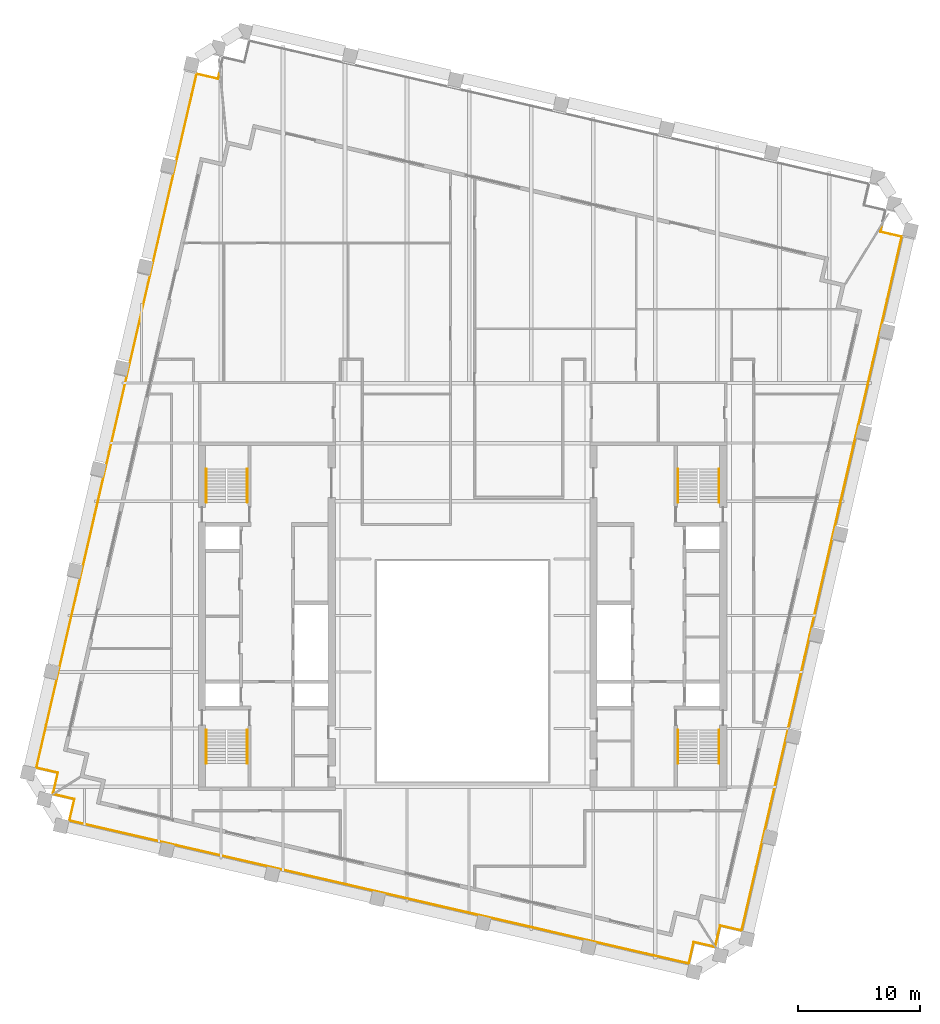
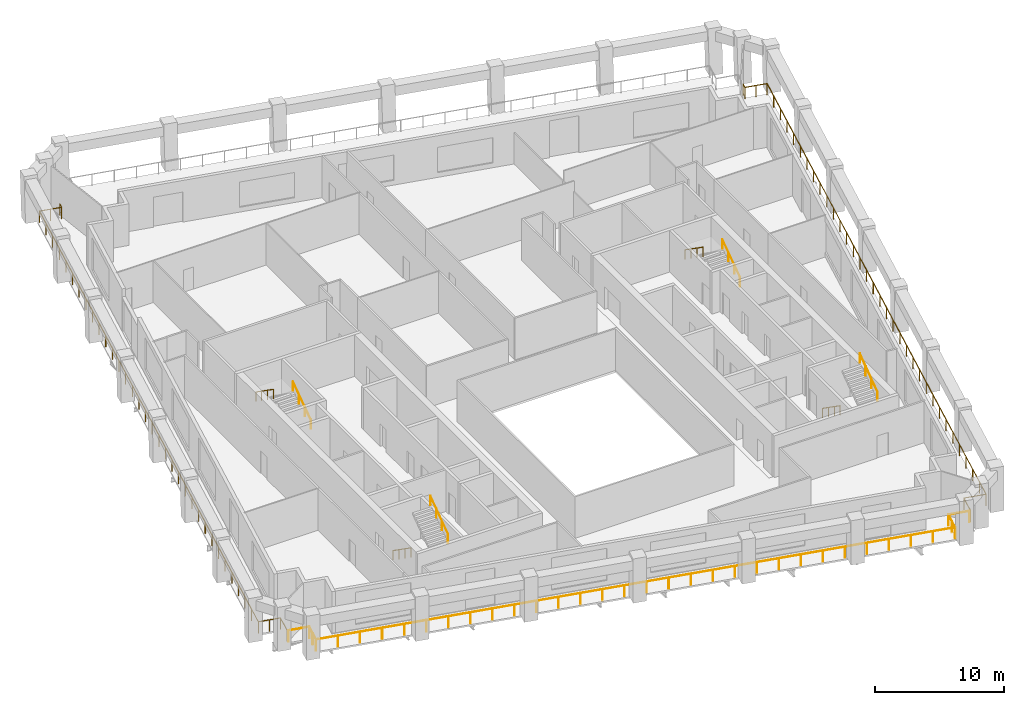
# One storey, part 9 of 10: 11 railings.
"""IFC4 building model written with IfcOpenShell, lengths in metres."""

from ifc_helpers import new_model, si_unit, direction, frame, origin, origin_2d, place, context, subcontext, project, spatial, circle, extrude, material, type_object, element, save


model = new_model("IFC4")

# Units and contexts
model_context = context("Model", 3, precision=1e-05, world=origin(), true_north=direction((0.0, 1.0)))
body_context = subcontext(model_context, "Body", "Model", "MODEL_VIEW")
ifc_project = project(units=[si_unit("LENGTHUNIT", "METRE"), si_unit("AREAUNIT", "SQUARE_METRE"), si_unit("VOLUMEUNIT", "CUBIC_METRE"), si_unit("PLANEANGLEUNIT", "RADIAN"), si_unit("MASSUNIT", "GRAM", prefix="KILO")], contexts=[model_context])

# Site, building, storey
site_placement = place(None, origin())
site = spatial("IfcSite", under=ifc_project, at=site_placement, CompositionType="ELEMENT")
building_placement = place(site_placement, origin())
building = spatial("IfcBuilding", under=site, at=building_placement, Name="Ogive Exchange Tower", CompositionType="ELEMENT")
storey_placement = place(building_placement, frame((0.0, 0.0, 289.199951171875)))
storey = spatial("IfcBuildingStorey", under=building, at=storey_placement, Name="L63", CompositionType="ELEMENT", Elevation=289.199951171875)

# Railings
ifc_material_1 = material(Name="Stainless steel 316", Category="steel")
railing_type_1 = type_object("IfcRailingType", Name="Guard 1100 stainless steel and glass", PredefinedType="GUARDRAIL", material=ifc_material_1)
railing_1_placement = place(storey_placement, frame((20.560546875, -15.527099609375, -0.050048828125)))
element("IfcRailing", 1, at=railing_1_placement, inside=storey, type_object=railing_type_1, Name="Loggia guard 1", PredefinedType="GUARDRAIL", context=body_context, shape_type="SweptSolid", body=[
    extrude(circle(Radius=0.02392578125, at=origin_2d()), frame((0.0, 0.0, 1.076171875), z_axis=(-0.974396013545, 0.224838628327, 0.0), x_axis=(-0.224838628327, -0.974396013545, 0.0)), (0.0, 0.0, 1.0), 1.7080078125),
    extrude(circle(Radius=0.02392578125, at=origin_2d()), frame((-1.664306640625, 0.384033203125, 1.076171875), z_axis=(-0.224879318197, -0.974386623598, 0.0), x_axis=(0.974386623598, -0.224879318197, 0.0)), (0.0, 0.0, 1.0), 1.800048828125),
    extrude(circle(Radius=0.02392578125, at=origin_2d()), frame((-2.069091796875, -1.369873046875, 1.076171875), z_axis=(-0.974370126852, 0.224950785504, 0.0), x_axis=(-0.224950785504, -0.974370126852, 0.0)), (0.0, 0.0, 1.0), 51.960205078125),
    extrude(circle(Radius=0.02392578125, at=origin_2d()), frame((-52.697509765625, 10.318603515625, 1.076171875), z_axis=(0.225008086135, 0.974356896201, 0.0), x_axis=(-0.974356896201, 0.225008086135, 0.0)), (0.0, 0.0, 1.0), 1.800048828125),
    extrude(circle(Radius=0.02392578125, at=origin_2d()), frame((-52.29248046875, 12.072509765625, 1.076171875), z_axis=(-0.974364690374, 0.224974332206, 0.0), x_axis=(-0.224974332206, -0.974364690374, 0.0)), (0.0, 0.0, 1.0), 1.7080078125),
    extrude(circle(Radius=0.02099609375, at=origin_2d()), origin(), (0.0, 0.0, 1.0), 1.052001953125),
    extrude(circle(Radius=0.02099609375, at=origin_2d()), frame((-1.664306640625, 0.384033203125, 0.0)), (0.0, 0.0, 1.0), 1.052001953125),
    extrude(circle(Radius=0.02099609375, at=origin_2d()), frame((-1.86669921875, -0.492919921875, 0.0)), (0.0, 0.0, 1.0), 1.052001953125),
    extrude(circle(Radius=0.02099609375, at=origin_2d()), frame((-2.069091796875, -1.369873046875, 0.0)), (0.0, 0.0, 1.0), 1.052001953125),
    extrude(circle(Radius=0.02099609375, at=origin_2d()), frame((-3.81494140625, -0.966796875, 0.0)), (0.0, 0.0, 1.0), 1.052001953125),
    extrude(circle(Radius=0.02099609375, at=origin_2d()), frame((-5.560791015625, -0.563720703125, 0.0)), (0.0, 0.0, 1.0), 1.052001953125),
    extrude(circle(Radius=0.02099609375, at=origin_2d()), frame((-7.306396484375, -0.16064453125, 0.0)), (0.0, 0.0, 1.0), 1.052001953125),
    extrude(circle(Radius=0.02099609375, at=origin_2d()), frame((-9.05224609375, 0.242431640625, 0.0)), (0.0, 0.0, 1.0), 1.052001953125),
    extrude(circle(Radius=0.02099609375, at=origin_2d()), frame((-10.798095703125, 0.645263671875, 0.0)), (0.0, 0.0, 1.0), 1.052001953125),
    extrude(circle(Radius=0.02099609375, at=origin_2d()), frame((-12.5439453125, 1.04833984375, 0.0)), (0.0, 0.0, 1.0), 1.052001953125),
    extrude(circle(Radius=0.02099609375, at=origin_2d()), frame((-14.289794921875, 1.451416015625, 0.0)), (0.0, 0.0, 1.0), 1.052001953125),
    extrude(circle(Radius=0.02099609375, at=origin_2d()), frame((-16.03564453125, 1.8544921875, 0.0)), (0.0, 0.0, 1.0), 1.052001953125),
    extrude(circle(Radius=0.02099609375, at=origin_2d()), frame((-17.78125, 2.257568359375, 0.0)), (0.0, 0.0, 1.0), 1.052001953125),
    extrude(circle(Radius=0.02099609375, at=origin_2d()), frame((-19.527099609375, 2.66064453125, 0.0)), (0.0, 0.0, 1.0), 1.052001953125),
    extrude(circle(Radius=0.02099609375, at=origin_2d()), frame((-21.27294921875, 3.063720703125, 0.0)), (0.0, 0.0, 1.0), 1.052001953125),
    extrude(circle(Radius=0.02099609375, at=origin_2d()), frame((-23.018798828125, 3.466796875, 0.0)), (0.0, 0.0, 1.0), 1.052001953125),
    extrude(circle(Radius=0.02099609375, at=origin_2d()), frame((-24.7646484375, 3.869873046875, 0.0)), (0.0, 0.0, 1.0), 1.052001953125),
    extrude(circle(Radius=0.02099609375, at=origin_2d()), frame((-26.510498046875, 4.27294921875, 0.0)), (0.0, 0.0, 1.0), 1.052001953125),
    extrude(circle(Radius=0.02099609375, at=origin_2d()), frame((-28.256103515625, 4.67578125, 0.0)), (0.0, 0.0, 1.0), 1.052001953125),
    extrude(circle(Radius=0.02099609375, at=origin_2d()), frame((-30.001953125, 5.078857421875, 0.0)), (0.0, 0.0, 1.0), 1.052001953125),
    extrude(circle(Radius=0.02099609375, at=origin_2d()), frame((-31.747802734375, 5.48193359375, 0.0)), (0.0, 0.0, 1.0), 1.052001953125),
    extrude(circle(Radius=0.02099609375, at=origin_2d()), frame((-33.49365234375, 5.885009765625, 0.0)), (0.0, 0.0, 1.0), 1.052001953125),
    extrude(circle(Radius=0.02099609375, at=origin_2d()), frame((-35.239501953125, 6.2880859375, 0.0)), (0.0, 0.0, 1.0), 1.052001953125),
    extrude(circle(Radius=0.02099609375, at=origin_2d()), frame((-36.9853515625, 6.691162109375, 0.0)), (0.0, 0.0, 1.0), 1.052001953125),
    extrude(circle(Radius=0.02099609375, at=origin_2d()), frame((-38.73095703125, 7.09423828125, 0.0)), (0.0, 0.0, 1.0), 1.052001953125),
    extrude(circle(Radius=0.02099609375, at=origin_2d()), frame((-40.476806640625, 7.497314453125, 0.0)), (0.0, 0.0, 1.0), 1.052001953125),
    extrude(circle(Radius=0.02099609375, at=origin_2d()), frame((-42.22265625, 7.900390625, 0.0)), (0.0, 0.0, 1.0), 1.052001953125),
    extrude(circle(Radius=0.02099609375, at=origin_2d()), frame((-43.968505859375, 8.303466796875, 0.0)), (0.0, 0.0, 1.0), 1.052001953125),
    extrude(circle(Radius=0.02099609375, at=origin_2d()), frame((-45.71435546875, 8.706298828125, 0.0)), (0.0, 0.0, 1.0), 1.052001953125),
    extrude(circle(Radius=0.02099609375, at=origin_2d()), frame((-47.460205078125, 9.109375, 0.0)), (0.0, 0.0, 1.0), 1.052001953125),
    extrude(circle(Radius=0.02099609375, at=origin_2d()), frame((-49.205810546875, 9.512451171875, 0.0)), (0.0, 0.0, 1.0), 1.052001953125),
    extrude(circle(Radius=0.02099609375, at=origin_2d()), frame((-50.95166015625, 9.91552734375, 0.0)), (0.0, 0.0, 1.0), 1.052001953125),
    extrude(circle(Radius=0.02099609375, at=origin_2d()), frame((-52.697509765625, 10.318603515625, 0.0)), (0.0, 0.0, 1.0), 1.052001953125),
    extrude(circle(Radius=0.02099609375, at=origin_2d()), frame((-52.4951171875, 11.195556640625, 0.0)), (0.0, 0.0, 1.0), 1.052001953125),
    extrude(circle(Radius=0.02099609375, at=origin_2d()), frame((-52.29248046875, 12.072509765625, 0.0)), (0.0, 0.0, 1.0), 1.052001953125),
    extrude(circle(Radius=0.02099609375, at=origin_2d()), frame((-53.956787109375, 12.456787109375, 0.0)), (0.0, 0.0, 1.0), 1.052001953125),
])
railing_2_placement = place(storey_placement, frame((-33.465087890625, -2.960205078125, -0.050048828125)))
element("IfcRailing", 2, at=railing_2_placement, inside=storey, type_object=railing_type_1, Name="Loggia guard 2", PredefinedType="GUARDRAIL", context=body_context, shape_type="SweptSolid", body=[
    extrude(circle(Radius=0.02392578125, at=origin_2d()), frame((0.0, 0.0, 1.076171875), z_axis=(0.224974332206, 0.974364690374, 0.0), x_axis=(-0.974364690374, 0.224974332206, 0.0)), (0.0, 0.0, 1.0), 1.7080078125),
    extrude(circle(Radius=0.02392578125, at=origin_2d()), frame((0.38427734375, 1.664306640625, 1.076171875), z_axis=(-0.974356896201, 0.225008086135, 0.0), x_axis=(-0.225008086135, -0.974356896201, 0.0)), (0.0, 0.0, 1.0), 1.800048828125),
    extrude(circle(Radius=0.02392578125, at=origin_2d()), frame((-1.36962890625, 2.0693359375, 1.076171875), z_axis=(0.224949262625, 0.974370478434, 0.0), x_axis=(-0.974370478434, 0.224949262625, 0.0)), (0.0, 0.0, 1.0), 58.205322265625),
    extrude(circle(Radius=0.02392578125, at=origin_2d()), frame((11.7236328125, 58.782958984375, 1.076171875), z_axis=(0.974386623598, -0.224879318197, 0.0), x_axis=(0.224879318197, 0.974386623598, 0.0)), (0.0, 0.0, 1.0), 1.800048828125),
    extrude(circle(Radius=0.02392578125, at=origin_2d()), frame((13.4775390625, 58.378173828125, 1.076171875), z_axis=(0.22497360694, 0.974364857833, 0.0), x_axis=(-0.974364857833, 0.22497360694, 0.0)), (0.0, 0.0, 1.0), 0.46875),
    extrude(circle(Radius=0.02099609375, at=origin_2d()), origin(), (0.0, 0.0, 1.0), 1.052001953125),
    extrude(circle(Radius=0.02099609375, at=origin_2d()), frame((0.38427734375, 1.664306640625, 0.0)), (0.0, 0.0, 1.0), 1.052001953125),
    extrude(circle(Radius=0.02099609375, at=origin_2d()), frame((-0.49267578125, 1.86669921875, 0.0)), (0.0, 0.0, 1.0), 1.052001953125),
    extrude(circle(Radius=0.02099609375, at=origin_2d()), frame((-1.36962890625, 2.0693359375, 0.0)), (0.0, 0.0, 1.0), 1.052001953125),
    extrude(circle(Radius=0.02099609375, at=origin_2d()), frame((-0.972900390625, 3.787841796875, 0.0)), (0.0, 0.0, 1.0), 1.052001953125),
    extrude(circle(Radius=0.02099609375, at=origin_2d()), frame((-0.576171875, 5.506591796875, 0.0)), (0.0, 0.0, 1.0), 1.052001953125),
    extrude(circle(Radius=0.02099609375, at=origin_2d()), frame((-0.179443359375, 7.22509765625, 0.0)), (0.0, 0.0, 1.0), 1.052001953125),
    extrude(circle(Radius=0.02099609375, at=origin_2d()), frame((0.217529296875, 8.943603515625, 0.0)), (0.0, 0.0, 1.0), 1.052001953125),
    extrude(circle(Radius=0.02099609375, at=origin_2d()), frame((0.6142578125, 10.662353515625, 0.0)), (0.0, 0.0, 1.0), 1.052001953125),
    extrude(circle(Radius=0.02099609375, at=origin_2d()), frame((1.010986328125, 12.380859375, 0.0)), (0.0, 0.0, 1.0), 1.052001953125),
    extrude(circle(Radius=0.02099609375, at=origin_2d()), frame((1.40771484375, 14.099609375, 0.0)), (0.0, 0.0, 1.0), 1.052001953125),
    extrude(circle(Radius=0.02099609375, at=origin_2d()), frame((1.804443359375, 15.818115234375, 0.0)), (0.0, 0.0, 1.0), 1.052001953125),
    extrude(circle(Radius=0.02099609375, at=origin_2d()), frame((2.201171875, 17.53662109375, 0.0)), (0.0, 0.0, 1.0), 1.052001953125),
    extrude(circle(Radius=0.02099609375, at=origin_2d()), frame((2.59814453125, 19.25537109375, 0.0)), (0.0, 0.0, 1.0), 1.052001953125),
    extrude(circle(Radius=0.02099609375, at=origin_2d()), frame((2.994873046875, 20.973876953125, 0.0)), (0.0, 0.0, 1.0), 1.052001953125),
    extrude(circle(Radius=0.02099609375, at=origin_2d()), frame((3.3916015625, 22.6923828125, 0.0)), (0.0, 0.0, 1.0), 1.052001953125),
    extrude(circle(Radius=0.02099609375, at=origin_2d()), frame((3.788330078125, 24.4111328125, 0.0)), (0.0, 0.0, 1.0), 1.052001953125),
    extrude(circle(Radius=0.02099609375, at=origin_2d()), frame((4.18505859375, 26.129638671875, 0.0)), (0.0, 0.0, 1.0), 1.052001953125),
    extrude(circle(Radius=0.02099609375, at=origin_2d()), frame((4.581787109375, 27.84814453125, 0.0)), (0.0, 0.0, 1.0), 1.052001953125),
    extrude(circle(Radius=0.02099609375, at=origin_2d()), frame((4.978515625, 29.56689453125, 0.0)), (0.0, 0.0, 1.0), 1.052001953125),
    extrude(circle(Radius=0.02099609375, at=origin_2d()), frame((5.37548828125, 31.285400390625, 0.0)), (0.0, 0.0, 1.0), 1.052001953125),
    extrude(circle(Radius=0.02099609375, at=origin_2d()), frame((5.772216796875, 33.004150390625, 0.0)), (0.0, 0.0, 1.0), 1.052001953125),
    extrude(circle(Radius=0.02099609375, at=origin_2d()), frame((6.1689453125, 34.72265625, 0.0)), (0.0, 0.0, 1.0), 1.052001953125),
    extrude(circle(Radius=0.02099609375, at=origin_2d()), frame((6.565673828125, 36.441162109375, 0.0)), (0.0, 0.0, 1.0), 1.052001953125),
    extrude(circle(Radius=0.02099609375, at=origin_2d()), frame((6.96240234375, 38.159912109375, 0.0)), (0.0, 0.0, 1.0), 1.052001953125),
    extrude(circle(Radius=0.02099609375, at=origin_2d()), frame((7.359130859375, 39.87841796875, 0.0)), (0.0, 0.0, 1.0), 1.052001953125),
    extrude(circle(Radius=0.02099609375, at=origin_2d()), frame((7.755859375, 41.596923828125, 0.0)), (0.0, 0.0, 1.0), 1.052001953125),
    extrude(circle(Radius=0.02099609375, at=origin_2d()), frame((8.15283203125, 43.315673828125, 0.0)), (0.0, 0.0, 1.0), 1.052001953125),
    extrude(circle(Radius=0.02099609375, at=origin_2d()), frame((8.549560546875, 45.0341796875, 0.0)), (0.0, 0.0, 1.0), 1.052001953125),
    extrude(circle(Radius=0.02099609375, at=origin_2d()), frame((8.9462890625, 46.752685546875, 0.0)), (0.0, 0.0, 1.0), 1.052001953125),
    extrude(circle(Radius=0.02099609375, at=origin_2d()), frame((9.343017578125, 48.471435546875, 0.0)), (0.0, 0.0, 1.0), 1.052001953125),
    extrude(circle(Radius=0.02099609375, at=origin_2d()), frame((9.73974609375, 50.18994140625, 0.0)), (0.0, 0.0, 1.0), 1.052001953125),
    extrude(circle(Radius=0.02099609375, at=origin_2d()), frame((10.136474609375, 51.90869140625, 0.0)), (0.0, 0.0, 1.0), 1.052001953125),
    extrude(circle(Radius=0.02099609375, at=origin_2d()), frame((10.533447265625, 53.627197265625, 0.0)), (0.0, 0.0, 1.0), 1.052001953125),
    extrude(circle(Radius=0.02099609375, at=origin_2d()), frame((10.93017578125, 55.345703125, 0.0)), (0.0, 0.0, 1.0), 1.052001953125),
    extrude(circle(Radius=0.02099609375, at=origin_2d()), frame((11.326904296875, 57.064453125, 0.0)), (0.0, 0.0, 1.0), 1.052001953125),
    extrude(circle(Radius=0.02099609375, at=origin_2d()), frame((11.7236328125, 58.782958984375, 0.0)), (0.0, 0.0, 1.0), 1.052001953125),
    extrude(circle(Radius=0.02099609375, at=origin_2d()), frame((12.6005859375, 58.58056640625, 0.0)), (0.0, 0.0, 1.0), 1.052001953125),
    extrude(circle(Radius=0.02099609375, at=origin_2d()), frame((13.4775390625, 58.378173828125, 0.0)), (0.0, 0.0, 1.0), 1.052001953125),
    extrude(circle(Radius=0.02099609375, at=origin_2d()), frame((13.5830078125, 58.8349609375, 0.0)), (0.0, 0.0, 1.0), 1.052001953125),
])
railing_3_placement = place(storey_placement, frame((34.25390625, 43.37646484375, -0.050048828125)))
element("IfcRailing", 3, at=railing_3_placement, inside=storey, type_object=railing_type_1, Name="Loggia guard 4", PredefinedType="GUARDRAIL", context=body_context, shape_type="SweptSolid", body=[
    extrude(circle(Radius=0.02392578125, at=origin_2d()), frame((0.0, 0.0, 1.076171875), z_axis=(-0.22497360694, -0.974364857833, 0.0), x_axis=(0.974364857833, -0.22497360694, 0.0)), (0.0, 0.0, 1.0), 0.46875),
    extrude(circle(Radius=0.02392578125, at=origin_2d()), frame((-0.10546875, -0.456787109375, 1.076171875), z_axis=(0.974356896201, -0.225008086135, 0.0), x_axis=(0.225008086135, 0.974356896201, 0.0)), (0.0, 0.0, 1.0), 1.800048828125),
    extrude(circle(Radius=0.02392578125, at=origin_2d()), frame((1.6484375, -0.86181640625, 1.076171875), z_axis=(-0.224953244837, -0.974369559067, 0.0), x_axis=(0.974369559067, -0.224953244837, 0.0)), (0.0, 0.0, 1.0), 58.20556640625),
    extrude(circle(Radius=0.02392578125, at=origin_2d()), frame((-11.445068359375, -57.575439453125, 1.076171875), z_axis=(-0.974379763188, 0.224909041816, 0.0), x_axis=(-0.224909041816, -0.974379763188, 0.0)), (0.0, 0.0, 1.0), 1.7998046875),
    extrude(circle(Radius=0.02392578125, at=origin_2d()), frame((-13.19873046875, -57.170654296875, 1.076171875), z_axis=(-0.224974332206, -0.974364690374, 0.0), x_axis=(0.974364690374, -0.224974332206, 0.0)), (0.0, 0.0, 1.0), 1.7080078125),
    extrude(circle(Radius=0.02099609375, at=origin_2d()), origin(), (0.0, 0.0, 1.0), 1.052001953125),
    extrude(circle(Radius=0.02099609375, at=origin_2d()), frame((-0.10546875, -0.456787109375, 0.0)), (0.0, 0.0, 1.0), 1.052001953125),
    extrude(circle(Radius=0.02099609375, at=origin_2d()), frame((0.771484375, -0.6591796875, 0.0)), (0.0, 0.0, 1.0), 1.052001953125),
    extrude(circle(Radius=0.02099609375, at=origin_2d()), frame((1.6484375, -0.86181640625, 0.0)), (0.0, 0.0, 1.0), 1.052001953125),
    extrude(circle(Radius=0.02099609375, at=origin_2d()), frame((1.251708984375, -2.580322265625, 0.0)), (0.0, 0.0, 1.0), 1.052001953125),
    extrude(circle(Radius=0.02099609375, at=origin_2d()), frame((0.85498046875, -4.299072265625, 0.0)), (0.0, 0.0, 1.0), 1.052001953125),
    extrude(circle(Radius=0.02099609375, at=origin_2d()), frame((0.4580078125, -6.017578125, 0.0)), (0.0, 0.0, 1.0), 1.052001953125),
    extrude(circle(Radius=0.02099609375, at=origin_2d()), frame((0.061279296875, -7.736083984375, 0.0)), (0.0, 0.0, 1.0), 1.052001953125),
    extrude(circle(Radius=0.02099609375, at=origin_2d()), frame((-0.33544921875, -9.454833984375, 0.0)), (0.0, 0.0, 1.0), 1.052001953125),
    extrude(circle(Radius=0.02099609375, at=origin_2d()), frame((-0.732177734375, -11.17333984375, 0.0)), (0.0, 0.0, 1.0), 1.052001953125),
    extrude(circle(Radius=0.02099609375, at=origin_2d()), frame((-1.12890625, -12.89208984375, 0.0)), (0.0, 0.0, 1.0), 1.052001953125),
    extrude(circle(Radius=0.02099609375, at=origin_2d()), frame((-1.525634765625, -14.610595703125, 0.0)), (0.0, 0.0, 1.0), 1.052001953125),
    extrude(circle(Radius=0.02099609375, at=origin_2d()), frame((-1.922607421875, -16.3291015625, 0.0)), (0.0, 0.0, 1.0), 1.052001953125),
    extrude(circle(Radius=0.02099609375, at=origin_2d()), frame((-2.3193359375, -18.0478515625, 0.0)), (0.0, 0.0, 1.0), 1.052001953125),
    extrude(circle(Radius=0.02099609375, at=origin_2d()), frame((-2.716064453125, -19.766357421875, 0.0)), (0.0, 0.0, 1.0), 1.052001953125),
    extrude(circle(Radius=0.02099609375, at=origin_2d()), frame((-3.11279296875, -21.48486328125, 0.0)), (0.0, 0.0, 1.0), 1.052001953125),
    extrude(circle(Radius=0.02099609375, at=origin_2d()), frame((-3.509521484375, -23.20361328125, 0.0)), (0.0, 0.0, 1.0), 1.052001953125),
    extrude(circle(Radius=0.02099609375, at=origin_2d()), frame((-3.906494140625, -24.922119140625, 0.0)), (0.0, 0.0, 1.0), 1.052001953125),
    extrude(circle(Radius=0.02099609375, at=origin_2d()), frame((-4.30322265625, -26.640625, 0.0)), (0.0, 0.0, 1.0), 1.052001953125),
    extrude(circle(Radius=0.02099609375, at=origin_2d()), frame((-4.699951171875, -28.359375, 0.0)), (0.0, 0.0, 1.0), 1.052001953125),
    extrude(circle(Radius=0.02099609375, at=origin_2d()), frame((-5.0966796875, -30.077880859375, 0.0)), (0.0, 0.0, 1.0), 1.052001953125),
    extrude(circle(Radius=0.02099609375, at=origin_2d()), frame((-5.493408203125, -31.796630859375, 0.0)), (0.0, 0.0, 1.0), 1.052001953125),
    extrude(circle(Radius=0.02099609375, at=origin_2d()), frame((-5.89013671875, -33.51513671875, 0.0)), (0.0, 0.0, 1.0), 1.052001953125),
    extrude(circle(Radius=0.02099609375, at=origin_2d()), frame((-6.287109375, -35.233642578125, 0.0)), (0.0, 0.0, 1.0), 1.052001953125),
    extrude(circle(Radius=0.02099609375, at=origin_2d()), frame((-6.683837890625, -36.952392578125, 0.0)), (0.0, 0.0, 1.0), 1.052001953125),
    extrude(circle(Radius=0.02099609375, at=origin_2d()), frame((-7.08056640625, -38.6708984375, 0.0)), (0.0, 0.0, 1.0), 1.052001953125),
    extrude(circle(Radius=0.02099609375, at=origin_2d()), frame((-7.477294921875, -40.389404296875, 0.0)), (0.0, 0.0, 1.0), 1.052001953125),
    extrude(circle(Radius=0.02099609375, at=origin_2d()), frame((-7.8740234375, -42.108154296875, 0.0)), (0.0, 0.0, 1.0), 1.052001953125),
    extrude(circle(Radius=0.02099609375, at=origin_2d()), frame((-8.27099609375, -43.82666015625, 0.0)), (0.0, 0.0, 1.0), 1.052001953125),
    extrude(circle(Radius=0.02099609375, at=origin_2d()), frame((-8.667724609375, -45.545166015625, 0.0)), (0.0, 0.0, 1.0), 1.052001953125),
    extrude(circle(Radius=0.02099609375, at=origin_2d()), frame((-9.064453125, -47.263916015625, 0.0)), (0.0, 0.0, 1.0), 1.052001953125),
    extrude(circle(Radius=0.02099609375, at=origin_2d()), frame((-9.461181640625, -48.982421875, 0.0)), (0.0, 0.0, 1.0), 1.052001953125),
    extrude(circle(Radius=0.02099609375, at=origin_2d()), frame((-9.85791015625, -50.701171875, 0.0)), (0.0, 0.0, 1.0), 1.052001953125),
    extrude(circle(Radius=0.02099609375, at=origin_2d()), frame((-10.254638671875, -52.419677734375, 0.0)), (0.0, 0.0, 1.0), 1.052001953125),
    extrude(circle(Radius=0.02099609375, at=origin_2d()), frame((-10.651611328125, -54.13818359375, 0.0)), (0.0, 0.0, 1.0), 1.052001953125),
    extrude(circle(Radius=0.02099609375, at=origin_2d()), frame((-11.04833984375, -55.85693359375, 0.0)), (0.0, 0.0, 1.0), 1.052001953125),
    extrude(circle(Radius=0.02099609375, at=origin_2d()), frame((-11.445068359375, -57.575439453125, 0.0)), (0.0, 0.0, 1.0), 1.052001953125),
    extrude(circle(Radius=0.02099609375, at=origin_2d()), frame((-13.19873046875, -57.170654296875, 0.0)), (0.0, 0.0, 1.0), 1.052001953125),
    extrude(circle(Radius=0.02099609375, at=origin_2d()), frame((-13.5830078125, -58.8349609375, 0.0)), (0.0, 0.0, 1.0), 1.052001953125),
])
ifc_material_2 = material(Name="Stainless steel", Category="steel")
railing_type_2 = type_object("IfcRailingType", Name="Stair handrail 900", PredefinedType="HANDRAIL", material=ifc_material_2)
railing_4_placement = place(storey_placement, frame((-20.949951171875, 2.199951171875, 0.175048828125)))
element("IfcRailing", 4, at=railing_4_placement, inside=storey, type_object=railing_type_2, Name="L63 ST1 stair handrail 1", PredefinedType="HANDRAIL", context=body_context, shape_type="SweptSolid", body=[
    extrude(circle(Radius=0.02392578125, at=origin_2d()), frame((0.0, 0.0, 0.8759765625), z_axis=(0.0, -0.819225086817, 0.573472106672), x_axis=(1.0, 0.0, 0.0)), (0.0, 0.0, 1.0), 3.35693359375),
    extrude(circle(Radius=0.02099609375, at=origin_2d()), origin(), (0.0, 0.0, 1.0), 0.851806640625),
    extrude(circle(Radius=0.02099609375, at=origin_2d()), frame((0.0, -0.916748046875, 0.6416015625)), (0.0, 0.0, 1.0), 0.851806640625),
    extrude(circle(Radius=0.02099609375, at=origin_2d()), frame((0.0, -1.833251953125, 1.283447265625)), (0.0, 0.0, 1.0), 0.851806640625),
    extrude(circle(Radius=0.02099609375, at=origin_2d()), frame((0.0, -2.75, 1.925048828125)), (0.0, 0.0, 1.0), 0.851806640625),
])
railing_5_placement = place(storey_placement, frame((-17.60009765625, -0.550048828125, 2.275146484375)))
element("IfcRailing", 5, at=railing_5_placement, inside=storey, type_object=railing_type_2, Name="L63 ST1 stair handrail 2", PredefinedType="HANDRAIL", context=body_context, shape_type="SweptSolid", body=[
    extrude(circle(Radius=0.02392578125, at=origin_2d()), frame((0.0, 0.0, 0.8759765625), z_axis=(0.0, 0.819259255306, 0.573423292687), x_axis=(-1.0, 0.0, 0.0)), (0.0, 0.0, 1.0), 3.356689453125),
    extrude(circle(Radius=0.02099609375, at=origin_2d()), origin(), (0.0, 0.0, 1.0), 0.851806640625),
    extrude(circle(Radius=0.02099609375, at=origin_2d()), frame((0.0, 0.916748046875, 0.6416015625)), (0.0, 0.0, 1.0), 0.851806640625),
    extrude(circle(Radius=0.02099609375, at=origin_2d()), frame((0.0, 1.833251953125, 1.283203125)), (0.0, 0.0, 1.0), 0.851806640625),
    extrude(circle(Radius=0.02099609375, at=origin_2d()), frame((0.0, 2.75, 1.9248046875)), (0.0, 0.0, 1.0), 0.851806640625),
])
railing_6_placement = place(storey_placement, frame((-17.60009765625, 20.800048828125, 0.175048828125)))
element("IfcRailing", 6, at=railing_6_placement, inside=storey, type_object=railing_type_2, Name="L63 ST2 stair handrail 1", PredefinedType="HANDRAIL", context=body_context, shape_type="SweptSolid", body=[
    extrude(circle(Radius=0.02392578125, at=origin_2d()), frame((0.0, 0.0, 0.8759765625), z_axis=(0.0, 0.819225086817, 0.573472106672), x_axis=(-1.0, 0.0, 0.0)), (0.0, 0.0, 1.0), 3.35693359375),
    extrude(circle(Radius=0.02099609375, at=origin_2d()), origin(), (0.0, 0.0, 1.0), 0.851806640625),
    extrude(circle(Radius=0.02099609375, at=origin_2d()), frame((0.0, 0.916748046875, 0.6416015625)), (0.0, 0.0, 1.0), 0.851806640625),
    extrude(circle(Radius=0.02099609375, at=origin_2d()), frame((0.0, 1.833251953125, 1.283447265625)), (0.0, 0.0, 1.0), 0.851806640625),
    extrude(circle(Radius=0.02099609375, at=origin_2d()), frame((0.0, 2.75, 1.925048828125)), (0.0, 0.0, 1.0), 0.851806640625),
])
railing_7_placement = place(storey_placement, frame((-20.949951171875, 23.550048828125, 2.275146484375)))
element("IfcRailing", 7, at=railing_7_placement, inside=storey, type_object=railing_type_2, Name="L63 ST2 stair handrail 2", PredefinedType="HANDRAIL", context=body_context, shape_type="SweptSolid", body=[
    extrude(circle(Radius=0.02392578125, at=origin_2d()), frame((0.0, 0.0, 0.8759765625), z_axis=(0.0, -0.819259255306, 0.573423292687), x_axis=(1.0, 0.0, 0.0)), (0.0, 0.0, 1.0), 3.356689453125),
    extrude(circle(Radius=0.02099609375, at=origin_2d()), origin(), (0.0, 0.0, 1.0), 0.851806640625),
    extrude(circle(Radius=0.02099609375, at=origin_2d()), frame((0.0, -0.916748046875, 0.6416015625)), (0.0, 0.0, 1.0), 0.851806640625),
    extrude(circle(Radius=0.02099609375, at=origin_2d()), frame((0.0, -1.833251953125, 1.283203125)), (0.0, 0.0, 1.0), 0.851806640625),
    extrude(circle(Radius=0.02099609375, at=origin_2d()), frame((0.0, -2.75, 1.9248046875)), (0.0, 0.0, 1.0), 0.851806640625),
])
railing_8_placement = place(storey_placement, frame((17.60009765625, 2.199951171875, 0.175048828125)))
element("IfcRailing", 8, at=railing_8_placement, inside=storey, type_object=railing_type_2, Name="L63 ST3 stair handrail 1", PredefinedType="HANDRAIL", context=body_context, shape_type="SweptSolid", body=[
    extrude(circle(Radius=0.02392578125, at=origin_2d()), frame((0.0, 0.0, 0.8759765625), z_axis=(0.0, -0.819225086817, 0.573472106672), x_axis=(1.0, 0.0, 0.0)), (0.0, 0.0, 1.0), 3.35693359375),
    extrude(circle(Radius=0.02099609375, at=origin_2d()), origin(), (0.0, 0.0, 1.0), 0.851806640625),
    extrude(circle(Radius=0.02099609375, at=origin_2d()), frame((0.0, -0.916748046875, 0.6416015625)), (0.0, 0.0, 1.0), 0.851806640625),
    extrude(circle(Radius=0.02099609375, at=origin_2d()), frame((0.0, -1.833251953125, 1.283447265625)), (0.0, 0.0, 1.0), 0.851806640625),
    extrude(circle(Radius=0.02099609375, at=origin_2d()), frame((0.0, -2.75, 1.925048828125)), (0.0, 0.0, 1.0), 0.851806640625),
])
railing_9_placement = place(storey_placement, frame((20.949951171875, -0.550048828125, 2.275146484375)))
element("IfcRailing", 9, at=railing_9_placement, inside=storey, type_object=railing_type_2, Name="L63 ST3 stair handrail 2", PredefinedType="HANDRAIL", context=body_context, shape_type="SweptSolid", body=[
    extrude(circle(Radius=0.02392578125, at=origin_2d()), frame((0.0, 0.0, 0.8759765625), z_axis=(0.0, 0.819259255306, 0.573423292687), x_axis=(-1.0, 0.0, 0.0)), (0.0, 0.0, 1.0), 3.356689453125),
    extrude(circle(Radius=0.02099609375, at=origin_2d()), origin(), (0.0, 0.0, 1.0), 0.851806640625),
    extrude(circle(Radius=0.02099609375, at=origin_2d()), frame((0.0, 0.916748046875, 0.6416015625)), (0.0, 0.0, 1.0), 0.851806640625),
    extrude(circle(Radius=0.02099609375, at=origin_2d()), frame((0.0, 1.833251953125, 1.283203125)), (0.0, 0.0, 1.0), 0.851806640625),
    extrude(circle(Radius=0.02099609375, at=origin_2d()), frame((0.0, 2.75, 1.9248046875)), (0.0, 0.0, 1.0), 0.851806640625),
])
railing_10_placement = place(storey_placement, frame((20.949951171875, 20.800048828125, 0.175048828125)))
element("IfcRailing", 10, at=railing_10_placement, inside=storey, type_object=railing_type_2, Name="L63 ST4 stair handrail 1", PredefinedType="HANDRAIL", context=body_context, shape_type="SweptSolid", body=[
    extrude(circle(Radius=0.02392578125, at=origin_2d()), frame((0.0, 0.0, 0.8759765625), z_axis=(0.0, 0.819225086817, 0.573472106672), x_axis=(-1.0, 0.0, 0.0)), (0.0, 0.0, 1.0), 3.35693359375),
    extrude(circle(Radius=0.02099609375, at=origin_2d()), origin(), (0.0, 0.0, 1.0), 0.851806640625),
    extrude(circle(Radius=0.02099609375, at=origin_2d()), frame((0.0, 0.916748046875, 0.6416015625)), (0.0, 0.0, 1.0), 0.851806640625),
    extrude(circle(Radius=0.02099609375, at=origin_2d()), frame((0.0, 1.833251953125, 1.283447265625)), (0.0, 0.0, 1.0), 0.851806640625),
    extrude(circle(Radius=0.02099609375, at=origin_2d()), frame((0.0, 2.75, 1.925048828125)), (0.0, 0.0, 1.0), 0.851806640625),
])
railing_11_placement = place(storey_placement, frame((17.60009765625, 23.550048828125, 2.275146484375)))
element("IfcRailing", 11, at=railing_11_placement, inside=storey, type_object=railing_type_2, Name="L63 ST4 stair handrail 2", PredefinedType="HANDRAIL", context=body_context, shape_type="SweptSolid", body=[
    extrude(circle(Radius=0.02392578125, at=origin_2d()), frame((0.0, 0.0, 0.8759765625), z_axis=(0.0, -0.819259255306, 0.573423292687), x_axis=(1.0, 0.0, 0.0)), (0.0, 0.0, 1.0), 3.356689453125),
    extrude(circle(Radius=0.02099609375, at=origin_2d()), origin(), (0.0, 0.0, 1.0), 0.851806640625),
    extrude(circle(Radius=0.02099609375, at=origin_2d()), frame((0.0, -0.916748046875, 0.6416015625)), (0.0, 0.0, 1.0), 0.851806640625),
    extrude(circle(Radius=0.02099609375, at=origin_2d()), frame((0.0, -1.833251953125, 1.283203125)), (0.0, 0.0, 1.0), 0.851806640625),
    extrude(circle(Radius=0.02099609375, at=origin_2d()), frame((0.0, -2.75, 1.9248046875)), (0.0, 0.0, 1.0), 0.851806640625),
])

save(model, "model.ifc")
